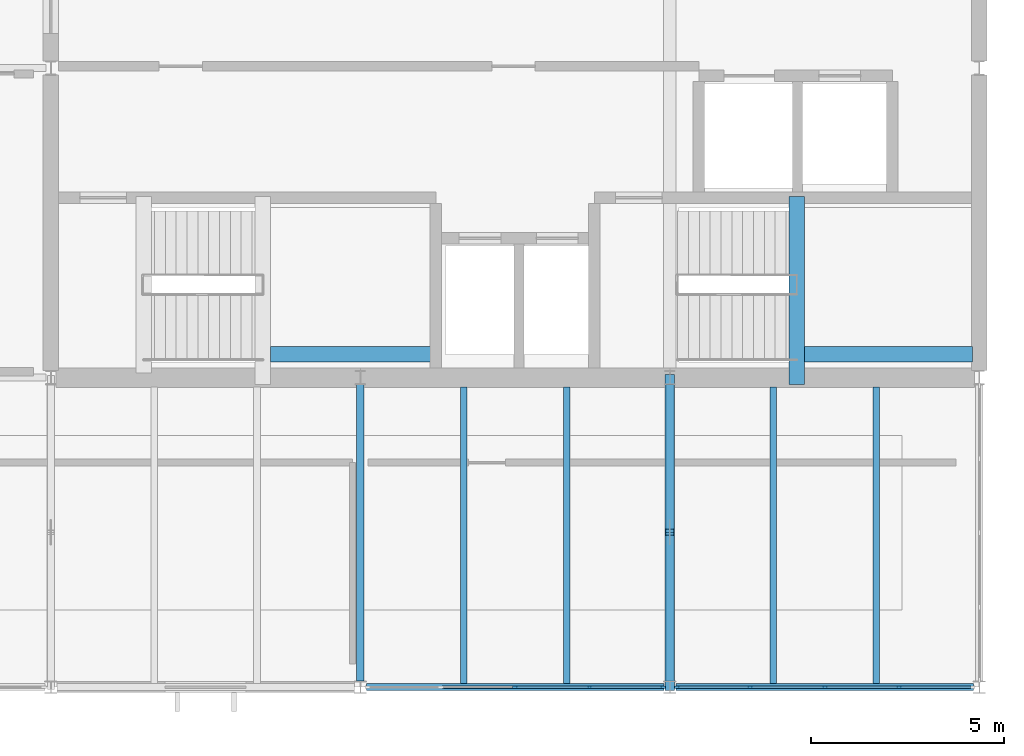
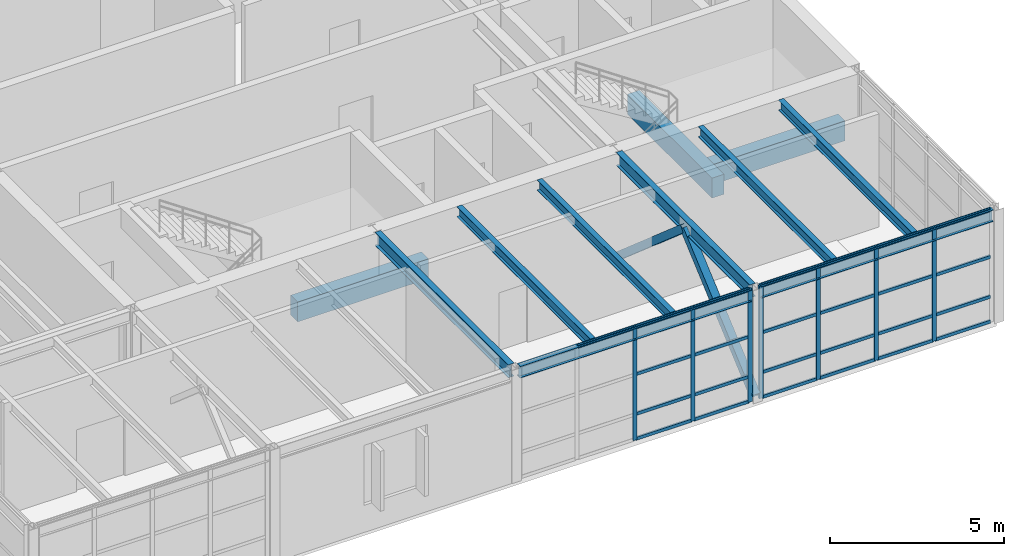
# One storey, part 4 of 15: 34 members, 11 beams, 2 elements without a shape of their own.
"""IFC4 building model written with IfcOpenShell, lengths in metres."""

from ifc_helpers import new_model, si_unit, direction, frame, origin, origin_2d, place, context, subcontext, project, spatial, rectangle, hollow_rectangle, i_section, extrude, material, layer, layer_set, material_profile, profile_set, type_object, element, aggregate, save


model = new_model("IFC4")

# Units and contexts
model_context = context("Model", 3, precision=1e-05, world=origin(), true_north=direction((0.0, 1.0)))
body_context = subcontext(model_context, "Body", "Model", "MODEL_VIEW")
ifc_project = project(units=[si_unit("LENGTHUNIT", "METRE"), si_unit("AREAUNIT", "SQUARE_METRE"), si_unit("VOLUMEUNIT", "CUBIC_METRE"), si_unit("PLANEANGLEUNIT", "RADIAN"), si_unit("MASSUNIT", "GRAM", prefix="KILO")], contexts=[model_context])

# Site, building, storey
site_placement = place(None, origin())
site = spatial("IfcSite", under=ifc_project, at=site_placement, CompositionType="ELEMENT")
building_placement = place(site_placement, origin())
building = spatial("IfcBuilding", under=site, at=building_placement, Name="Varnela Railside Interchange", CompositionType="ELEMENT")
storey_placement = place(building_placement, frame((0.0, 0.0, 32.199951171875)))
storey = spatial("IfcBuildingStorey", under=building, at=storey_placement, Name="L07", CompositionType="ELEMENT", Elevation=32.199951171875)

# Beams
ifc_material_1 = material(Name="Concrete C40", Category="concrete")
ifc_material_profile_1 = material_profile(ifc_material_1, rectangle(XDim=0.39990234375, YDim=0.699951171875, at=origin_2d()), Name="RC 400x700")
ifc_profile_set_1 = profile_set([ifc_material_profile_1], Name="Concrete C40")
beam_type_1 = type_object("IfcBeamType", Name="Concrete Tie Beam B-01", PredefinedType="BEAM", material=ifc_profile_set_1)
beam_1_placement = place(storey_placement, frame((17.679931640625, 54.60009765625, 1.590087890625), z_axis=(1.0, 0.0, 0.0), x_axis=(0.0, 1.0, 0.0)))
element("IfcBeam", 1, at=beam_1_placement, inside=storey, type_object=beam_type_1, Name="Concrete Tie Beam B-01 (L07) (BM-2779)", PredefinedType="BEAM", context=body_context, shape_type="SweptSolid", body=[
    extrude(rectangle(XDim=0.39990234375, YDim=0.699951171875, at=origin_2d()), origin(), (0.0, 0.0, 1.0), 4.340087890625),
])
beam_2_placement = place(storey_placement, frame((31.280029296875, 53.820068359375, 1.590087890625), z_axis=(0.0, 1.0, 0.0), x_axis=(-1.0, 0.0, 0.0)))
element("IfcBeam", 2, at=beam_2_placement, inside=storey, type_object=beam_type_1, Name="Concrete Tie Beam B-01 (L07) (BM-2782)", PredefinedType="BEAM", context=body_context, shape_type="SweptSolid", body=[
    extrude(rectangle(XDim=0.39990234375, YDim=0.699951171875, at=origin_2d()), origin(), (0.0, 0.0, 1.0), 4.85986328125),
])
beam_3_placement = place(storey_placement, frame((31.47998046875, 54.60009765625, 1.590087890625), z_axis=(1.0, 0.0, 0.0), x_axis=(0.0, 1.0, 0.0)))
element("IfcBeam", 3, at=beam_3_placement, inside=storey, type_object=beam_type_1, Name="Concrete Tie Beam B-01 (L07) (BM-2780)", PredefinedType="BEAM", context=body_context, shape_type="SweptSolid", body=[
    extrude(rectangle(XDim=0.39990234375, YDim=0.699951171875, at=origin_2d()), origin(), (0.0, 0.0, 1.0), 4.340087890625),
])

# Curtain wall, members
ifc_material_2 = material(Name="Aluminium 6063-T6", Category="aluminium")
ifc_layer = layer(ifc_material_2, 0.035888671875)
ifc_layer_set = layer_set([ifc_layer], Name="Aluminium 6063-T6")
curtain_wall_type = type_object("IfcCurtainWallType", Name="Operations Wing Facade Curtain Wall CW-03", PredefinedType="USERDEFINED", material=ifc_layer_set)
curtain_wall_1_placement = place(storey_placement, origin())
curtain_wall_1 = element("IfcCurtainWall", 4, at=curtain_wall_1_placement, inside=storey, type_object=curtain_wall_type, Name="Curtain Wall CW-03 (L07) (CW-149)", ObjectType="CURTAIN WALL", PredefinedType="USERDEFINED")
ifc_material_profile_2 = material_profile(ifc_material_2, rectangle(XDim=0.06005859375, YDim=0.139892578125, at=origin_2d()), Name="ALU 60x140")
ifc_profile_set_2 = profile_set([ifc_material_profile_2], Name="Aluminium 6063-T6")
member_type_1 = type_object("IfcMemberType", Name="Curtain Wall Mullion ML-01", PredefinedType="MULLION", material=ifc_profile_set_2)
member_1_placement = place(storey_placement, frame((33.922607421875, 46.0, 0.0), z_axis=(0.0, 0.0, 1.0), x_axis=(0.0, -1.0, 0.0)))
member_1 = element("IfcMember", 5, at=member_1_placement, type_object=member_type_1, Name="CW-03 mullion 2", PredefinedType="MULLION", context=body_context, shape_type="SweptSolid", body=[
    extrude(rectangle(XDim=0.06005859375, YDim=0.139892578125, at=origin_2d()), origin(), (0.0, 0.0, 1.0), 3.9599609375),
])
member_2_placement = place(storey_placement, frame((32.0, 46.0, 0.0), z_axis=(0.0, 0.0, 1.0), x_axis=(0.0, -1.0, 0.0)))
member_2 = element("IfcMember", 6, at=member_2_placement, type_object=member_type_1, Name="CW-03 mullion 3", PredefinedType="MULLION", context=body_context, shape_type="SweptSolid", body=[
    extrude(rectangle(XDim=0.06005859375, YDim=0.139892578125, at=origin_2d()), origin(), (0.0, 0.0, 1.0), 3.9599609375),
])
member_3_placement = place(storey_placement, frame((30.077392578125, 46.0, 0.0), z_axis=(0.0, 0.0, 1.0), x_axis=(0.0, -1.0, 0.0)))
member_3 = element("IfcMember", 7, at=member_3_placement, type_object=member_type_1, Name="CW-03 mullion 4", PredefinedType="MULLION", context=body_context, shape_type="SweptSolid", body=[
    extrude(rectangle(XDim=0.06005859375, YDim=0.139892578125, at=origin_2d()), origin(), (0.0, 0.0, 1.0), 3.9599609375),
])
member_4_placement = place(storey_placement, frame((28.18505859375, 46.0, 0.0), z_axis=(0.0, 0.0, 1.0), x_axis=(0.0, -1.0, 0.0)))
member_4 = element("IfcMember", 8, at=member_4_placement, type_object=member_type_1, Name="CW-03 mullion 5", PredefinedType="MULLION", context=body_context, shape_type="SweptSolid", body=[
    extrude(rectangle(XDim=0.06005859375, YDim=0.139892578125, at=origin_2d()), origin(), (0.0, 0.0, 1.0), 3.9599609375),
])

curtain_wall_2_placement = place(storey_placement, origin())
curtain_wall_2 = element("IfcCurtainWall", 9, at=curtain_wall_2_placement, inside=storey, type_object=curtain_wall_type, Name="Curtain Wall CW-03 (L07) (CW-154)", ObjectType="CURTAIN WALL", PredefinedType="USERDEFINED")
member_5_placement = place(storey_placement, frame((27.81494140625, 46.0, 0.0), z_axis=(0.0, 0.0, 1.0), x_axis=(0.0, -1.0, 0.0)))
member_5 = element("IfcMember", 10, at=member_5_placement, type_object=member_type_1, Name="CW-03 mullion 1", PredefinedType="MULLION", context=body_context, shape_type="SweptSolid", body=[
    extrude(rectangle(XDim=0.06005859375, YDim=0.139892578125, at=origin_2d()), origin(), (0.0, 0.0, 1.0), 3.9599609375),
])
member_6_placement = place(storey_placement, frame((25.922607421875, 46.0, 0.0), z_axis=(0.0, 0.0, 1.0), x_axis=(0.0, -1.0, 0.0)))
member_6 = element("IfcMember", 11, at=member_6_placement, type_object=member_type_1, Name="CW-03 mullion 2", PredefinedType="MULLION", context=body_context, shape_type="SweptSolid", body=[
    extrude(rectangle(XDim=0.06005859375, YDim=0.139892578125, at=origin_2d()), origin(), (0.0, 0.0, 1.0), 3.9599609375),
])
member_7_placement = place(storey_placement, frame((24.0, 46.0, 0.0), z_axis=(0.0, 0.0, 1.0), x_axis=(0.0, -1.0, 0.0)))
member_7 = element("IfcMember", 12, at=member_7_placement, type_object=member_type_1, Name="CW-03 mullion 3", PredefinedType="MULLION", context=body_context, shape_type="SweptSolid", body=[
    extrude(rectangle(XDim=0.06005859375, YDim=0.139892578125, at=origin_2d()), origin(), (0.0, 0.0, 1.0), 3.9599609375),
])

# Member
ifc_material_profile_3 = material_profile(ifc_material_2, rectangle(XDim=0.06005859375, YDim=0.110107421875, at=origin_2d()), Name="ALU 60x110")
ifc_profile_set_3 = profile_set([ifc_material_profile_3], Name="Aluminium 6063-T6")
member_type_2 = type_object("IfcMemberType", Name="Curtain Wall Transom TR-01", PredefinedType="USERDEFINED", material=ifc_profile_set_3)
member_8_placement = place(storey_placement, frame((35.784912109375, 46.0, 0.030029296875), z_axis=(-1.0, 0.0, 0.0), x_axis=(0.0, -1.0, 0.0)))
member_8 = element("IfcMember", 13, at=member_8_placement, type_object=member_type_2, Name="CW-03 transom 1.1", ObjectType="TRANSOM", PredefinedType="USERDEFINED", context=body_context, shape_type="SweptSolid", body=[
    extrude(rectangle(XDim=0.06005859375, YDim=0.110107421875, at=origin_2d()), origin(), (0.0, 0.0, 1.0), 1.83251953125),
])

member_9_placement = place(storey_placement, frame((35.784912109375, 46.0, 0.900146484375), z_axis=(-1.0, 0.0, 0.0), x_axis=(0.0, -1.0, 0.0)))
member_9 = element("IfcMember", 14, at=member_9_placement, type_object=member_type_2, Name="CW-03 transom 1.2", ObjectType="TRANSOM", PredefinedType="USERDEFINED", context=body_context, shape_type="SweptSolid", body=[
    extrude(rectangle(XDim=0.06005859375, YDim=0.110107421875, at=origin_2d()), origin(), (0.0, 0.0, 1.0), 1.83251953125),
])

member_10_placement = place(storey_placement, frame((35.784912109375, 46.0, 2.296875), z_axis=(-1.0, 0.0, 0.0), x_axis=(0.0, -1.0, 0.0)))
member_10 = element("IfcMember", 15, at=member_10_placement, type_object=member_type_2, Name="CW-03 transom 1.3", ObjectType="TRANSOM", PredefinedType="USERDEFINED", context=body_context, shape_type="SweptSolid", body=[
    extrude(rectangle(XDim=0.06005859375, YDim=0.110107421875, at=origin_2d()), origin(), (0.0, 0.0, 1.0), 1.83251953125),
])

member_11_placement = place(storey_placement, frame((35.784912109375, 46.0, 3.929931640625), z_axis=(-1.0, 0.0, 0.0), x_axis=(0.0, -1.0, 0.0)))
member_11 = element("IfcMember", 16, at=member_11_placement, type_object=member_type_2, Name="CW-03 transom 1.4", ObjectType="TRANSOM", PredefinedType="USERDEFINED", context=body_context, shape_type="SweptSolid", body=[
    extrude(rectangle(XDim=0.06005859375, YDim=0.110107421875, at=origin_2d()), origin(), (0.0, 0.0, 1.0), 1.83251953125),
])

member_12_placement = place(storey_placement, frame((33.892578125, 46.0, 0.030029296875), z_axis=(-1.0, 0.0, 0.0), x_axis=(0.0, -1.0, 0.0)))
member_12 = element("IfcMember", 17, at=member_12_placement, type_object=member_type_2, Name="CW-03 transom 2.1", ObjectType="TRANSOM", PredefinedType="USERDEFINED", context=body_context, shape_type="SweptSolid", body=[
    extrude(rectangle(XDim=0.06005859375, YDim=0.110107421875, at=origin_2d()), origin(), (0.0, 0.0, 1.0), 1.862548828125),
])

member_13_placement = place(storey_placement, frame((33.892578125, 46.0, 0.900146484375), z_axis=(-1.0, 0.0, 0.0), x_axis=(0.0, -1.0, 0.0)))
member_13 = element("IfcMember", 18, at=member_13_placement, type_object=member_type_2, Name="CW-03 transom 2.2", ObjectType="TRANSOM", PredefinedType="USERDEFINED", context=body_context, shape_type="SweptSolid", body=[
    extrude(rectangle(XDim=0.06005859375, YDim=0.110107421875, at=origin_2d()), origin(), (0.0, 0.0, 1.0), 1.862548828125),
])

member_14_placement = place(storey_placement, frame((33.892578125, 46.0, 2.296875), z_axis=(-1.0, 0.0, 0.0), x_axis=(0.0, -1.0, 0.0)))
member_14 = element("IfcMember", 19, at=member_14_placement, type_object=member_type_2, Name="CW-03 transom 2.3", ObjectType="TRANSOM", PredefinedType="USERDEFINED", context=body_context, shape_type="SweptSolid", body=[
    extrude(rectangle(XDim=0.06005859375, YDim=0.110107421875, at=origin_2d()), origin(), (0.0, 0.0, 1.0), 1.862548828125),
])

member_15_placement = place(storey_placement, frame((33.892578125, 46.0, 3.929931640625), z_axis=(-1.0, 0.0, 0.0), x_axis=(0.0, -1.0, 0.0)))
member_15 = element("IfcMember", 20, at=member_15_placement, type_object=member_type_2, Name="CW-03 transom 2.4", ObjectType="TRANSOM", PredefinedType="USERDEFINED", context=body_context, shape_type="SweptSolid", body=[
    extrude(rectangle(XDim=0.06005859375, YDim=0.110107421875, at=origin_2d()), origin(), (0.0, 0.0, 1.0), 1.862548828125),
])

member_16_placement = place(storey_placement, frame((31.969970703125, 46.0, 0.030029296875), z_axis=(-1.0, 0.0, 0.0), x_axis=(0.0, -1.0, 0.0)))
member_16 = element("IfcMember", 21, at=member_16_placement, type_object=member_type_2, Name="CW-03 transom 3.1", ObjectType="TRANSOM", PredefinedType="USERDEFINED", context=body_context, shape_type="SweptSolid", body=[
    extrude(rectangle(XDim=0.06005859375, YDim=0.110107421875, at=origin_2d()), origin(), (0.0, 0.0, 1.0), 1.862548828125),
])

member_17_placement = place(storey_placement, frame((31.969970703125, 46.0, 0.900146484375), z_axis=(-1.0, 0.0, 0.0), x_axis=(0.0, -1.0, 0.0)))
member_17 = element("IfcMember", 22, at=member_17_placement, type_object=member_type_2, Name="CW-03 transom 3.2", ObjectType="TRANSOM", PredefinedType="USERDEFINED", context=body_context, shape_type="SweptSolid", body=[
    extrude(rectangle(XDim=0.06005859375, YDim=0.110107421875, at=origin_2d()), origin(), (0.0, 0.0, 1.0), 1.862548828125),
])

member_18_placement = place(storey_placement, frame((31.969970703125, 46.0, 2.296875), z_axis=(-1.0, 0.0, 0.0), x_axis=(0.0, -1.0, 0.0)))
member_18 = element("IfcMember", 23, at=member_18_placement, type_object=member_type_2, Name="CW-03 transom 3.3", ObjectType="TRANSOM", PredefinedType="USERDEFINED", context=body_context, shape_type="SweptSolid", body=[
    extrude(rectangle(XDim=0.06005859375, YDim=0.110107421875, at=origin_2d()), origin(), (0.0, 0.0, 1.0), 1.862548828125),
])

member_19_placement = place(storey_placement, frame((31.969970703125, 46.0, 3.929931640625), z_axis=(-1.0, 0.0, 0.0), x_axis=(0.0, -1.0, 0.0)))
member_19 = element("IfcMember", 24, at=member_19_placement, type_object=member_type_2, Name="CW-03 transom 3.4", ObjectType="TRANSOM", PredefinedType="USERDEFINED", context=body_context, shape_type="SweptSolid", body=[
    extrude(rectangle(XDim=0.06005859375, YDim=0.110107421875, at=origin_2d()), origin(), (0.0, 0.0, 1.0), 1.862548828125),
])

member_20_placement = place(storey_placement, frame((30.047607421875, 46.0, 0.030029296875), z_axis=(-1.0, 0.0, 0.0), x_axis=(0.0, -1.0, 0.0)))
member_20 = element("IfcMember", 25, at=member_20_placement, type_object=member_type_2, Name="CW-03 transom 4.1", ObjectType="TRANSOM", PredefinedType="USERDEFINED", context=body_context, shape_type="SweptSolid", body=[
    extrude(rectangle(XDim=0.06005859375, YDim=0.110107421875, at=origin_2d()), origin(), (0.0, 0.0, 1.0), 1.83251953125),
])

member_21_placement = place(storey_placement, frame((30.047607421875, 46.0, 0.900146484375), z_axis=(-1.0, 0.0, 0.0), x_axis=(0.0, -1.0, 0.0)))
member_21 = element("IfcMember", 26, at=member_21_placement, type_object=member_type_2, Name="CW-03 transom 4.2", ObjectType="TRANSOM", PredefinedType="USERDEFINED", context=body_context, shape_type="SweptSolid", body=[
    extrude(rectangle(XDim=0.06005859375, YDim=0.110107421875, at=origin_2d()), origin(), (0.0, 0.0, 1.0), 1.83251953125),
])

member_22_placement = place(storey_placement, frame((30.047607421875, 46.0, 2.296875), z_axis=(-1.0, 0.0, 0.0), x_axis=(0.0, -1.0, 0.0)))
member_22 = element("IfcMember", 27, at=member_22_placement, type_object=member_type_2, Name="CW-03 transom 4.3", ObjectType="TRANSOM", PredefinedType="USERDEFINED", context=body_context, shape_type="SweptSolid", body=[
    extrude(rectangle(XDim=0.06005859375, YDim=0.110107421875, at=origin_2d()), origin(), (0.0, 0.0, 1.0), 1.83251953125),
])

member_23_placement = place(storey_placement, frame((30.047607421875, 46.0, 3.929931640625), z_axis=(-1.0, 0.0, 0.0), x_axis=(0.0, -1.0, 0.0)))
member_23 = element("IfcMember", 28, at=member_23_placement, type_object=member_type_2, Name="CW-03 transom 4.4", ObjectType="TRANSOM", PredefinedType="USERDEFINED", context=body_context, shape_type="SweptSolid", body=[
    extrude(rectangle(XDim=0.06005859375, YDim=0.110107421875, at=origin_2d()), origin(), (0.0, 0.0, 1.0), 1.83251953125),
])

aggregate(curtain_wall_1, [member_1, member_2, member_3, member_4, member_8, member_9, member_10, member_11, member_12, member_13, member_14, member_15, member_16, member_17, member_18, member_19, member_20, member_21, member_22, member_23])

member_24_placement = place(storey_placement, frame((27.784912109375, 46.0, 0.030029296875), z_axis=(-1.0, 0.0, 0.0), x_axis=(0.0, -1.0, 0.0)))
member_24 = element("IfcMember", 29, at=member_24_placement, type_object=member_type_2, Name="CW-03 transom 1.1", ObjectType="TRANSOM", PredefinedType="USERDEFINED", context=body_context, shape_type="SweptSolid", body=[
    extrude(rectangle(XDim=0.06005859375, YDim=0.110107421875, at=origin_2d()), origin(), (0.0, 0.0, 1.0), 1.83251953125),
])

member_25_placement = place(storey_placement, frame((27.784912109375, 46.0, 0.900146484375), z_axis=(-1.0, 0.0, 0.0), x_axis=(0.0, -1.0, 0.0)))
member_25 = element("IfcMember", 30, at=member_25_placement, type_object=member_type_2, Name="CW-03 transom 1.2", ObjectType="TRANSOM", PredefinedType="USERDEFINED", context=body_context, shape_type="SweptSolid", body=[
    extrude(rectangle(XDim=0.06005859375, YDim=0.110107421875, at=origin_2d()), origin(), (0.0, 0.0, 1.0), 1.83251953125),
])

member_26_placement = place(storey_placement, frame((27.784912109375, 46.0, 2.296875), z_axis=(-1.0, 0.0, 0.0), x_axis=(0.0, -1.0, 0.0)))
member_26 = element("IfcMember", 31, at=member_26_placement, type_object=member_type_2, Name="CW-03 transom 1.3", ObjectType="TRANSOM", PredefinedType="USERDEFINED", context=body_context, shape_type="SweptSolid", body=[
    extrude(rectangle(XDim=0.06005859375, YDim=0.110107421875, at=origin_2d()), origin(), (0.0, 0.0, 1.0), 1.83251953125),
])

member_27_placement = place(storey_placement, frame((27.784912109375, 46.0, 3.929931640625), z_axis=(-1.0, 0.0, 0.0), x_axis=(0.0, -1.0, 0.0)))
member_27 = element("IfcMember", 32, at=member_27_placement, type_object=member_type_2, Name="CW-03 transom 1.4", ObjectType="TRANSOM", PredefinedType="USERDEFINED", context=body_context, shape_type="SweptSolid", body=[
    extrude(rectangle(XDim=0.06005859375, YDim=0.110107421875, at=origin_2d()), origin(), (0.0, 0.0, 1.0), 1.83251953125),
])

member_28_placement = place(storey_placement, frame((25.892578125, 46.0, 0.030029296875), z_axis=(-1.0, 0.0, 0.0), x_axis=(0.0, -1.0, 0.0)))
member_28 = element("IfcMember", 33, at=member_28_placement, type_object=member_type_2, Name="CW-03 transom 2.1", ObjectType="TRANSOM", PredefinedType="USERDEFINED", context=body_context, shape_type="SweptSolid", body=[
    extrude(rectangle(XDim=0.06005859375, YDim=0.110107421875, at=origin_2d()), origin(), (0.0, 0.0, 1.0), 1.862548828125),
])

member_29_placement = place(storey_placement, frame((25.892578125, 46.0, 0.900146484375), z_axis=(-1.0, 0.0, 0.0), x_axis=(0.0, -1.0, 0.0)))
member_29 = element("IfcMember", 34, at=member_29_placement, type_object=member_type_2, Name="CW-03 transom 2.2", ObjectType="TRANSOM", PredefinedType="USERDEFINED", context=body_context, shape_type="SweptSolid", body=[
    extrude(rectangle(XDim=0.06005859375, YDim=0.110107421875, at=origin_2d()), origin(), (0.0, 0.0, 1.0), 1.862548828125),
])

member_30_placement = place(storey_placement, frame((25.892578125, 46.0, 2.296875), z_axis=(-1.0, 0.0, 0.0), x_axis=(0.0, -1.0, 0.0)))
member_30 = element("IfcMember", 35, at=member_30_placement, type_object=member_type_2, Name="CW-03 transom 2.3", ObjectType="TRANSOM", PredefinedType="USERDEFINED", context=body_context, shape_type="SweptSolid", body=[
    extrude(rectangle(XDim=0.06005859375, YDim=0.110107421875, at=origin_2d()), origin(), (0.0, 0.0, 1.0), 1.862548828125),
])

member_31_placement = place(storey_placement, frame((25.892578125, 46.0, 3.929931640625), z_axis=(-1.0, 0.0, 0.0), x_axis=(0.0, -1.0, 0.0)))
member_31 = element("IfcMember", 36, at=member_31_placement, type_object=member_type_2, Name="CW-03 transom 2.4", ObjectType="TRANSOM", PredefinedType="USERDEFINED", context=body_context, shape_type="SweptSolid", body=[
    extrude(rectangle(XDim=0.06005859375, YDim=0.110107421875, at=origin_2d()), origin(), (0.0, 0.0, 1.0), 1.862548828125),
])

member_32_placement = place(storey_placement, frame((23.969970703125, 46.0, 3.929931640625), z_axis=(-1.0, 0.0, 0.0), x_axis=(0.0, -1.0, 0.0)))
member_32 = element("IfcMember", 37, at=member_32_placement, type_object=member_type_2, Name="CW-03 transom 3.4", ObjectType="TRANSOM", PredefinedType="USERDEFINED", context=body_context, shape_type="SweptSolid", body=[
    extrude(rectangle(XDim=0.06005859375, YDim=0.110107421875, at=origin_2d()), origin(), (0.0, 0.0, 1.0), 1.862548828125),
])

aggregate(curtain_wall_2, [member_5, member_6, member_7, member_24, member_25, member_26, member_27, member_28, member_29, member_30, member_31, member_32])

# Members
ifc_material_3 = material(Name="Steel AR 350 (350 MPa)", Category="steel")
ifc_material_profile_4 = material_profile(ifc_material_3, hollow_rectangle(XDim=0.25, YDim=0.25, WallThickness=0.012451171875, at=origin_2d()), Name="HSS 250x250x12.5")
ifc_profile_set_4 = profile_set([ifc_material_profile_4], Name="Steel AR 350 (350 MPa)")
member_type_3 = type_object("IfcMemberType", Name="Lateral Chevron Brace BR-04", PredefinedType="BRACE", material=ifc_profile_set_4)
for number, where, z_axis, x_axis, name in (
    (38, (28.0, 46.0, 0.150146484375), (0.0, 0.756316256301, 0.6542061758), (-1.0, 0.0, 0.0), "Lateral Chevron Brace BR-04 (L07) (MB-0194)"),
    (39, (28.0, 54.0, 0.150146484375), (0.0, -0.756316256301, 0.6542061758), (1.0, 0.0, 0.0), "Lateral Chevron Brace BR-04 (L07) (MB-0195)"),
):
    element("IfcMember", number, at=place(storey_placement, frame(where, z_axis=z_axis, x_axis=x_axis)), inside=storey, type_object=member_type_3, Name=name, PredefinedType="BRACE", context=body_context, shape_type="SweptSolid", body=[
        extrude(hollow_rectangle(XDim=0.25, YDim=0.25, WallThickness=0.012451171875, at=origin_2d()), origin(), (0.0, 0.0, 1.0), 5.288818359375),
    ])

# Beams
ifc_material_profile_5 = material_profile(ifc_material_3, i_section(OverallWidth=0.1708984375, OverallDepth=0.35498046875, WebThickness=0.007080078125, FlangeThickness=0.01171875, at=origin_2d()), Name="W360x51")
ifc_profile_set_5 = profile_set([ifc_material_profile_5], Name="Steel AR 350 (350 MPa)")
beam_type_2 = type_object("IfcBeamType", Name="Plant Floor Joist J-02", PredefinedType="JOIST", material=ifc_profile_set_5)
for number, where, z_axis, x_axis, name in (
    (40, (22.669921875, 46.094970703125, 3.782470703125), (0.0, 1.0, 0.0), (-1.0, 0.0, 0.0), "Plant Floor Joist J-02 (L07) (BM-2738)"),
    (41, (25.330078125, 46.094970703125, 3.782470703125), (0.0, 1.0, 0.0), (-1.0, 0.0, 0.0), "Plant Floor Joist J-02 (L07) (BM-2739)"),
    (42, (30.669921875, 46.094970703125, 3.782470703125), (0.0, 1.0, 0.0), (-1.0, 0.0, 0.0), "Plant Floor Joist J-02 (L07) (BM-2742)"),
    (43, (33.330078125, 46.094970703125, 3.782470703125), (0.0, 1.0, 0.0), (-1.0, 0.0, 0.0), "Plant Floor Joist J-02 (L07) (BM-2743)"),
):
    element("IfcBeam", number, at=place(storey_placement, frame(where, z_axis=z_axis, x_axis=x_axis)), inside=storey, type_object=beam_type_2, Name=name, PredefinedType="JOIST", context=body_context, shape_type="SweptSolid", body=[
        extrude(i_section(OverallWidth=0.1708984375, OverallDepth=0.35498046875, WebThickness=0.007080078125, FlangeThickness=0.01171875, at=origin_2d()), origin(), (0.0, 0.0, 1.0), 7.6650390625),
    ])
ifc_material_profile_6 = material_profile(ifc_material_3, i_section(OverallWidth=0.19091796875, OverallDepth=0.4599609375, WebThickness=0.010009765625, FlangeThickness=0.01611328125, at=origin_2d()), Name="W460x82")
ifc_profile_set_6 = profile_set([ifc_material_profile_6], Name="Steel AR 350 (350 MPa)")
beam_type_3 = type_object("IfcBeamType", Name="Steel Perimeter Spandrel SP-01", PredefinedType="SPANDREL", material=ifc_profile_set_6)
for number, where, z_axis, x_axis, name in (
    (44, (20.0, 46.154052734375, 3.72998046875), (0.0, 1.0, 0.0), (-1.0, 0.0, 0.0), "Steel Perimeter Spandrel SP-01 (L07) (BM-2769)"),
    (45, (28.0, 46.154052734375, 3.72998046875), (0.0, 1.0, 0.0), (-1.0, 0.0, 0.0), "Steel Perimeter Spandrel SP-01 (L07) (BM-2772)"),
):
    element("IfcBeam", number, at=place(storey_placement, frame(where, z_axis=z_axis, x_axis=x_axis)), inside=storey, type_object=beam_type_3, Name=name, PredefinedType="SPANDREL", context=body_context, shape_type="SweptSolid", body=[
        extrude(i_section(OverallWidth=0.19091796875, OverallDepth=0.4599609375, WebThickness=0.010009765625, FlangeThickness=0.01611328125, at=origin_2d()), origin(), (0.0, 0.0, 1.0), 7.66455078125),
    ])
ifc_material_profile_7 = material_profile(ifc_material_3, i_section(OverallWidth=0.178955078125, OverallDepth=0.409912109375, WebThickness=0.0087890625, FlangeThickness=0.014404296875, at=origin_2d()), Name="W410x67")
ifc_profile_set_7 = profile_set([ifc_material_profile_7], Name="Steel AR 350 (350 MPa)")
beam_type_4 = type_object("IfcBeamType", Name="Steel Terrace Spandrel SP-02", PredefinedType="SPANDREL", material=ifc_profile_set_7)
for number, where, z_axis, x_axis, name in (
    (46, (20.155029296875, 46.0, 3.755126953125), (1.0, 0.0, 0.0), (0.0, 1.0, 0.0), "Steel Terrace Spandrel SP-02 (L07) (BM-2747)"),
    (47, (28.155029296875, 46.0, 3.755126953125), (1.0, 0.0, 0.0), (0.0, 1.0, 0.0), "Steel Terrace Spandrel SP-02 (L07) (BM-2748)"),
):
    element("IfcBeam", number, at=place(storey_placement, frame(where, z_axis=z_axis, x_axis=x_axis)), inside=storey, type_object=beam_type_4, Name=name, PredefinedType="SPANDREL", context=body_context, shape_type="SweptSolid", body=[
        extrude(i_section(OverallWidth=0.178955078125, OverallDepth=0.409912109375, WebThickness=0.0087890625, FlangeThickness=0.014404296875, at=origin_2d()), origin(), (0.0, 0.0, 1.0), 7.68994140625),
    ])

save(model, "model.ifc")
